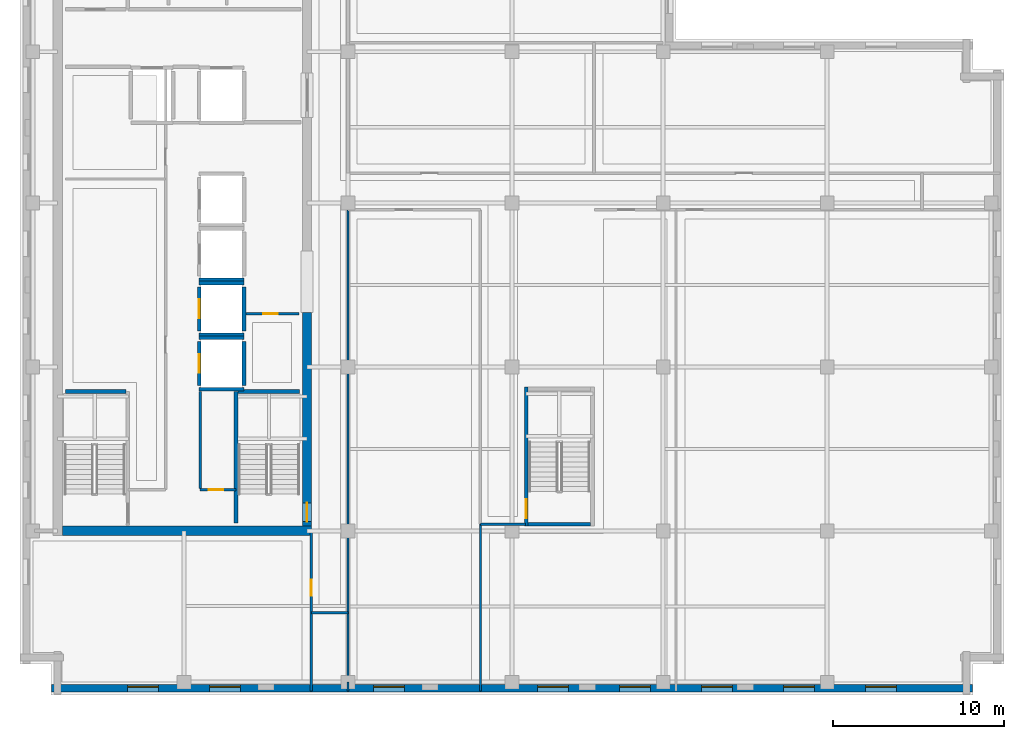
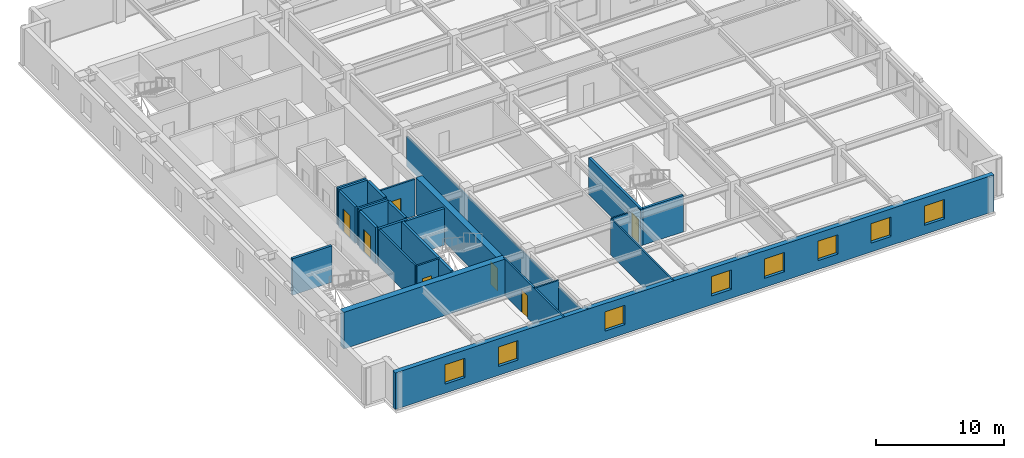
# One storey, part 3 of 11: 26 walls, 8 windows, 7 doors, 15 openings.
"""IFC4 building model written with IfcOpenShell, lengths in metres."""

import ifcopenshell
import ifcopenshell.guid

model = None  # the IFC model being written
_history = None  # IfcOwnerHistory: only IFC2X3 demands one
_inside = {}  # id of a spatial element -> (the spatial element, [elements in it])
_under = {}  # id of a project, library or spatial element -> (it, [spatial elements below it])
_declared = {}  # id of a project -> (the project, [libraries it declares])
_typed = {}  # id of a type object -> (the type object, [elements of that type])
_made_of = {}  # id of a material, layer set ... -> (it, [elements and type objects made of it])


def new_model(schema):
    """Start an empty IFC model of exactly this schema.

    Asked for "IFC4X3", IfcOpenShell would pick the latest addendum, in which some entities
    have other attributes; the version numbers below select the first issue.
    IFC2X3 requires an IfcOwnerHistory on every rooted entity: one is made here for all.
    """
    global model, _history
    if schema == "IFC4X3":
        model = ifcopenshell.file(schema_version=(4, 3, 0, 0))
    else:
        model = ifcopenshell.file(schema=schema)
    _inside.clear()
    _under.clear()
    _declared.clear()
    _typed.clear()
    _made_of.clear()
    _history = None
    if model.schema == "IFC2X3":
        org = make("IfcOrganization", Name="unknown")
        user = make(
            "IfcPersonAndOrganization",
            ThePerson=make("IfcPerson", FamilyName="unknown"),
            TheOrganization=org,
        )
        app = make(
            "IfcApplication",
            ApplicationDeveloper=org,
            Version="unknown",
            ApplicationFullName="unknown",
            ApplicationIdentifier="unknown",
        )
        _history = make(
            "IfcOwnerHistory",
            OwningUser=user,
            OwningApplication=app,
            ChangeAction="ADDED",
            CreationDate=0,
        )
    return model


def make(cls, **values):
    """One entity of the class cls with the attributes given. An attribute that is None is left unset."""
    return model.create_entity(
        cls, **{name: value for name, value in values.items() if value is not None}
    )


def rooted(cls, **values):
    """An entity with a GlobalId (a new one), such as an element, a storey or a relation."""
    return make(cls, GlobalId=ifcopenshell.guid.new(), OwnerHistory=_history, **values)


def si_unit(unit_type, name, prefix=None):
    """IfcSIUnit, for example si_unit("LENGTHUNIT", "METRE", prefix="MILLI")."""
    return make("IfcSIUnit", UnitType=unit_type, Prefix=prefix, Name=name)


def assignment(units):
    """IfcUnitAssignment: the units of a project."""
    return None if units is None else make("IfcUnitAssignment", Units=units)


def point(xyz):
    """IfcCartesianPoint."""
    return None if xyz is None else make("IfcCartesianPoint", Coordinates=xyz)


def direction(xyz):
    """IfcDirection."""
    return None if xyz is None else make("IfcDirection", DirectionRatios=xyz)


def frame(location, z_axis=None, x_axis=None):
    """IfcAxis2Placement3D, a coordinate frame: its origin and axes. An axis left out is left unset."""
    return make(
        "IfcAxis2Placement3D",
        Location=point(location),
        Axis=direction(z_axis),
        RefDirection=direction(x_axis),
    )


def frame_2d(location, x_axis=None):
    """IfcAxis2Placement2D, a coordinate frame in the plane: its origin and x axis."""
    return make(
        "IfcAxis2Placement2D", Location=point(location), RefDirection=direction(x_axis)
    )


def origin():
    """The frame at (0, 0, 0) with its axes left unset."""
    return frame((0.0, 0.0, 0.0))


def place(relative_to, where):
    """IfcLocalPlacement: puts the frame where relative to a parent placement (None: the world)."""
    return make(
        "IfcLocalPlacement", PlacementRelTo=relative_to, RelativePlacement=where
    )


def context(
    kind, dimensions, precision=None, world=None, true_north=None, identifier=None
):
    """IfcGeometricRepresentationContext, for example the 3D "Model" context."""
    return make(
        "IfcGeometricRepresentationContext",
        ContextIdentifier=identifier,
        ContextType=kind,
        CoordinateSpaceDimension=dimensions,
        Precision=precision,
        WorldCoordinateSystem=world,
        TrueNorth=true_north,
    )


def subcontext(parent, identifier, kind, view, scale=None):
    """IfcGeometricRepresentationSubContext, for example "Body" below "Model"."""
    return make(
        "IfcGeometricRepresentationSubContext",
        ContextIdentifier=identifier,
        ContextType=kind,
        ParentContext=parent,
        TargetScale=scale,
        TargetView=view,
    )


def project(units=None, contexts=None):
    """IfcProject with its units and contexts."""
    return rooted(
        "IfcProject",
        Name="project",
        RepresentationContexts=contexts,
        UnitsInContext=assignment(units),
    )


def spatial(cls, under=None, at=None, **own):
    """A site, building, storey or space (cls), placed at a placement, below another one or the project."""
    s = rooted(cls, ObjectPlacement=at, **own)
    if under is not None:
        _under.setdefault(under.id(), (under, []))[1].append(s)
    return s


def profile(cls, at=None, kind="AREA", **sizes):
    """A parametric profile (cls). Its sizes go by their IFC names, for example OverallWidth=200.0."""
    return make(cls, ProfileType=kind, Position=at, **sizes)


def rectangle(**sizes):
    """IfcRectangleProfileDef."""
    return profile("IfcRectangleProfileDef", **sizes)


def extrude(swept, where, along, depth):
    """IfcExtrudedAreaSolid: the profile swept, set in the frame where, extruded along a direction by depth."""
    return make(
        "IfcExtrudedAreaSolid",
        SweptArea=swept,
        Position=where,
        ExtrudedDirection=direction(along),
        Depth=depth,
    )


def shape(context_of_items, identifier, shape_type, items):
    """IfcShapeRepresentation: the items that make up one representation, for example the "Body"."""
    return make(
        "IfcShapeRepresentation",
        ContextOfItems=context_of_items,
        RepresentationIdentifier=identifier,
        RepresentationType=shape_type,
        Items=items,
    )


def material(Name=None, Category=None):
    """IfcMaterial."""
    return make("IfcMaterial", Name=Name, Category=Category)


def layer(
    of_material, thickness, ventilated=None, Name=None, Category=None, Priority=None
):
    """IfcMaterialLayer: one layer of a wall or slab, of a material (None: an air gap)."""
    return make(
        "IfcMaterialLayer",
        Material=of_material,
        LayerThickness=thickness,
        IsVentilated=ventilated,
        Name=Name,
        Category=Category,
        Priority=Priority,
    )


def layer_set(layers, Name=None):
    """IfcMaterialLayerSet."""
    return make("IfcMaterialLayerSet", MaterialLayers=layers, LayerSetName=Name)


def made_of(thing, what):
    """Note that an element or type object is made of a material, layer set ...; save() writes the relation."""
    if what is not None:
        _made_of.setdefault(what.id(), (what, []))[1].append(thing)
    return thing


def type_object(cls, material=None, **own):
    """A type object (cls), such as IfcWallType, which elements share."""
    return made_of(rooted(cls, **own), material)


def element(
    cls,
    number,
    at=None,
    inside=None,
    cuts=None,
    type_object=None,
    material=None,
    context=None,
    identifier="Body",
    shape_type=None,
    held_by="IfcProductDefinitionShape",
    body=None,
    shapes=None,
    **own,
):
    """One element of the class cls, such as IfcWall. Its Tag is "e" and its number.

    at: its placement. inside: the storey or other place that contains it. cuts: it is an
    opening in that element (IfcRelVoidsElement). A single representation is given by context,
    identifier, shape_type and body (its items); several are given by shapes. held_by: the class
    of the entity that holds the representations. save() writes the other relations.
    """
    e = rooted(cls, Tag="e%d" % number, ObjectPlacement=at, **own)
    if body is not None:
        shapes = [shape(context, identifier, shape_type, body)]
    if shapes is not None:
        e.Representation = make(held_by, Representations=shapes)
    if inside is not None:
        _inside.setdefault(inside.id(), (inside, []))[1].append(e)
    if cuts is not None:
        rooted(
            "IfcRelVoidsElement", RelatingBuildingElement=cuts, RelatedOpeningElement=e
        )
    if type_object is not None:
        _typed.setdefault(type_object.id(), (type_object, []))[1].append(e)
    return made_of(e, material)


def fill(opening, filler):
    """IfcRelFillsElement: the door or window that sits in an opening."""
    return rooted(
        "IfcRelFillsElement",
        RelatingOpeningElement=opening,
        RelatedBuildingElement=filler,
    )


def aggregate(whole, parts):
    """IfcRelAggregates: a whole, such as a stair, and the parts it consists of."""
    return rooted("IfcRelAggregates", RelatingObject=whole, RelatedObjects=parts)


def save(model, path):
    """Write the relations noted so far, then the file.

    IfcRelAggregates (storeys below a building ...), IfcRelContainedInSpatialStructure (elements
    in a storey), IfcRelDefinesByType, IfcRelAssociatesMaterial and IfcRelDeclares: one each for
    every whole, place, type object, material and project.
    """
    for whole, parts in _under.values():
        aggregate(whole, parts)
    for where, things in _inside.values():
        rooted(
            "IfcRelContainedInSpatialStructure",
            RelatedElements=things,
            RelatingStructure=where,
        )
    for kind, things in _typed.values():
        rooted("IfcRelDefinesByType", RelatedObjects=things, RelatingType=kind)
    for what, things in _made_of.values():
        rooted("IfcRelAssociatesMaterial", RelatedObjects=things, RelatingMaterial=what)
    for by, libraries in _declared.values():
        rooted("IfcRelDeclares", RelatingContext=by, RelatedDefinitions=libraries)
    model.write(path)


model = new_model("IFC4")

# Units and contexts
model_context = context("Model", 3, precision=1e-05, world=origin(), true_north=direction((0.0, 1.0)))
body_context = subcontext(model_context, "Body", "Model", "MODEL_VIEW")
ifc_project = project(units=[si_unit("LENGTHUNIT", "METRE"), si_unit("AREAUNIT", "SQUARE_METRE"), si_unit("VOLUMEUNIT", "CUBIC_METRE"), si_unit("PLANEANGLEUNIT", "RADIAN"), si_unit("MASSUNIT", "GRAM", prefix="KILO")], contexts=[model_context])

# Site, building, storey
site_placement = place(None, origin())
site = spatial("IfcSite", under=ifc_project, at=site_placement, CompositionType="ELEMENT")
building_placement = place(site_placement, origin())
building = spatial("IfcBuilding", under=site, at=building_placement, Name="Norrvale University Quadrangle", CompositionType="ELEMENT")
storey_placement = place(building_placement, frame((0.0, 0.0, 252.199951171875)))
storey = spatial("IfcBuildingStorey", under=building, at=storey_placement, Name="L64", CompositionType="ELEMENT", Elevation=252.199951171875)

# Wall, openings, windows
ifc_material_1 = material(Name="Buff Norman Clay Brick Masonry", Category="masonry")
ifc_layer_1 = layer(ifc_material_1, 0.419921875, Name="Buff Norman Clay Brick Masonry")
ifc_layer_set_1 = layer_set([ifc_layer_1], Name="Buff Norman Clay Brick Masonry")
wall_type_1 = type_object("IfcWallType", Name="Wall Buff Brick 420", PredefinedType="SOLIDWALL", material=ifc_layer_set_1)
wall_1_placement = place(storey_placement, frame((1.840087890625, 0.389892578125, 0.0), z_axis=(0.0, 0.0, 1.0), x_axis=(1.0, 0.0, 0.0)))
wall_1 = element("IfcWall", 1, at=wall_1_placement, inside=storey, type_object=wall_type_1, Name="Exterior Brick Facade Wall L64-01.1", PredefinedType="SOLIDWALL", context=body_context, shape_type="SweptSolid", body=[
    extrude(rectangle(XDim=53.919921875, YDim=0.419921875, at=frame_2d((26.9599609375, 0.0))), origin(), (0.0, 0.0, 1.0), 3.47998046875),
])
opening_1_placement = place(wall_1_placement, frame((4.4599609375, 0.0, 0.85009765625)))
opening_1 = element("IfcOpeningElement", 2, at=opening_1_placement, cuts=wall_1, Name="Opening W01", PredefinedType="OPENING", context=body_context, shape_type="SweptSolid", body=[
    extrude(rectangle(XDim=1.800048828125, YDim=1.85009765625, at=frame_2d((0.89990234375, 0.925048828125))), frame((0.0, 0.221923828125, 0.0), z_axis=(0.0, -1.0, 0.0), x_axis=(1.0, 0.0, 0.0)), (0.0, 0.0, 1.0), 0.44384765625),
])
opening_2_placement = place(wall_1_placement, frame((9.260009765625, 0.0, 0.85009765625)))
opening_2 = element("IfcOpeningElement", 3, at=opening_2_placement, cuts=wall_1, Name="Opening W01", PredefinedType="OPENING", context=body_context, shape_type="SweptSolid", body=[
    extrude(rectangle(XDim=1.800048828125, YDim=1.85009765625, at=frame_2d((0.89990234375, 0.925048828125))), frame((0.0, 0.221923828125, 0.0), z_axis=(0.0, -1.0, 0.0), x_axis=(1.0, 0.0, 0.0)), (0.0, 0.0, 1.0), 0.44384765625),
])
opening_3_placement = place(wall_1_placement, frame((18.860107421875, 0.0, 0.85009765625)))
opening_3 = element("IfcOpeningElement", 4, at=opening_3_placement, cuts=wall_1, Name="Opening W01", PredefinedType="OPENING", context=body_context, shape_type="SweptSolid", body=[
    extrude(rectangle(XDim=1.800048828125, YDim=1.85009765625, at=frame_2d((0.89990234375, 0.925048828125))), frame((0.0, 0.221923828125, 0.0), z_axis=(0.0, -1.0, 0.0), x_axis=(1.0, 0.0, 0.0)), (0.0, 0.0, 1.0), 0.44384765625),
])
opening_4_placement = place(wall_1_placement, frame((28.4599609375, 0.0, 0.85009765625)))
opening_4 = element("IfcOpeningElement", 5, at=opening_4_placement, cuts=wall_1, Name="Opening W01", PredefinedType="OPENING", context=body_context, shape_type="SweptSolid", body=[
    extrude(rectangle(XDim=1.800048828125, YDim=1.85009765625, at=frame_2d((0.89990234375, 0.925048828125))), frame((0.0, 0.221923828125, 0.0), z_axis=(0.0, -1.0, 0.0), x_axis=(1.0, 0.0, 0.0)), (0.0, 0.0, 1.0), 0.44384765625),
])
opening_5_placement = place(wall_1_placement, frame((33.260009765625, 0.0, 0.85009765625)))
opening_5 = element("IfcOpeningElement", 6, at=opening_5_placement, cuts=wall_1, Name="Opening W01", PredefinedType="OPENING", context=body_context, shape_type="SweptSolid", body=[
    extrude(rectangle(XDim=1.800048828125, YDim=1.85009765625, at=frame_2d((0.89990234375, 0.925048828125))), frame((0.0, 0.221923828125, 0.0), z_axis=(0.0, -1.0, 0.0), x_axis=(1.0, 0.0, 0.0)), (0.0, 0.0, 1.0), 0.44384765625),
])
opening_6_placement = place(wall_1_placement, frame((38.06005859375, 0.0, 0.85009765625)))
opening_6 = element("IfcOpeningElement", 7, at=opening_6_placement, cuts=wall_1, Name="Opening W01", PredefinedType="OPENING", context=body_context, shape_type="SweptSolid", body=[
    extrude(rectangle(XDim=1.800048828125, YDim=1.85009765625, at=frame_2d((0.89990234375, 0.925048828125))), frame((0.0, 0.221923828125, 0.0), z_axis=(0.0, -1.0, 0.0), x_axis=(1.0, 0.0, 0.0)), (0.0, 0.0, 1.0), 0.44384765625),
])
opening_7_placement = place(wall_1_placement, frame((42.860107421875, 0.0, 0.85009765625)))
opening_7 = element("IfcOpeningElement", 8, at=opening_7_placement, cuts=wall_1, Name="Opening W01", PredefinedType="OPENING", context=body_context, shape_type="SweptSolid", body=[
    extrude(rectangle(XDim=1.800048828125, YDim=1.85009765625, at=frame_2d((0.89990234375, 0.925048828125))), frame((0.0, 0.221923828125, 0.0), z_axis=(0.0, -1.0, 0.0), x_axis=(1.0, 0.0, 0.0)), (0.0, 0.0, 1.0), 0.44384765625),
])
opening_8_placement = place(wall_1_placement, frame((47.659912109375, 0.0, 0.85009765625)))
opening_8 = element("IfcOpeningElement", 9, at=opening_8_placement, cuts=wall_1, Name="Opening W01", PredefinedType="OPENING", context=body_context, shape_type="SweptSolid", body=[
    extrude(rectangle(XDim=1.800048828125, YDim=1.85009765625, at=frame_2d((0.89990234375, 0.925048828125))), frame((0.0, 0.221923828125, 0.0), z_axis=(0.0, -1.0, 0.0), x_axis=(1.0, 0.0, 0.0)), (0.0, 0.0, 1.0), 0.44384765625),
])
ifc_material_2 = material(Name="Triple Low-E Argon Glazing", Category="glass")
window_type = type_object("IfcWindowType", Name="Window Academic 1800x2300", PartitioningType="DOUBLE_PANEL_VERTICAL", PredefinedType="WINDOW", material=ifc_material_2)
window_1_placement = place(opening_1_placement, origin())
window_1 = element("IfcWindow", 10, at=window_1_placement, inside=storey, type_object=window_type, Name="Window Academic 1800x2300 WIN-L64-E01-1-01", OverallHeight=1.85009765625, OverallWidth=1.800048828125, PartitioningType="DOUBLE_PANEL_VERTICAL", PredefinedType="WINDOW", context=body_context, shape_type="SweptSolid", body=[
    extrude(rectangle(XDim=1.800048828125, YDim=1.85009765625, at=frame_2d((0.89990234375, 0.925048828125))), frame((0.0, 0.110107421875, 0.0), z_axis=(0.0, -1.0, 0.0), x_axis=(1.0, 0.0, 0.0)), (0.0, 0.0, 1.0), 0.06005859375),
])
fill(opening_1, window_1)
window_2_placement = place(opening_2_placement, origin())
window_2 = element("IfcWindow", 11, at=window_2_placement, inside=storey, type_object=window_type, Name="Window Academic 1800x2300 WIN-L64-E01-1-02", OverallHeight=1.85009765625, OverallWidth=1.800048828125, PartitioningType="DOUBLE_PANEL_VERTICAL", PredefinedType="WINDOW", context=body_context, shape_type="SweptSolid", body=[
    extrude(rectangle(XDim=1.800048828125, YDim=1.85009765625, at=frame_2d((0.89990234375, 0.925048828125))), frame((0.0, 0.110107421875, 0.0), z_axis=(0.0, -1.0, 0.0), x_axis=(1.0, 0.0, 0.0)), (0.0, 0.0, 1.0), 0.06005859375),
])
fill(opening_2, window_2)
window_3_placement = place(opening_3_placement, origin())
window_3 = element("IfcWindow", 12, at=window_3_placement, inside=storey, type_object=window_type, Name="Window Academic 1800x2300 WIN-L64-E01-1-03", OverallHeight=1.85009765625, OverallWidth=1.800048828125, PartitioningType="DOUBLE_PANEL_VERTICAL", PredefinedType="WINDOW", context=body_context, shape_type="SweptSolid", body=[
    extrude(rectangle(XDim=1.800048828125, YDim=1.85009765625, at=frame_2d((0.89990234375, 0.925048828125))), frame((0.0, 0.110107421875, 0.0), z_axis=(0.0, -1.0, 0.0), x_axis=(1.0, 0.0, 0.0)), (0.0, 0.0, 1.0), 0.06005859375),
])
fill(opening_3, window_3)
window_4_placement = place(opening_4_placement, origin())
window_4 = element("IfcWindow", 13, at=window_4_placement, inside=storey, type_object=window_type, Name="Window Academic 1800x2300 WIN-L64-E01-1-04", OverallHeight=1.85009765625, OverallWidth=1.800048828125, PartitioningType="DOUBLE_PANEL_VERTICAL", PredefinedType="WINDOW", context=body_context, shape_type="SweptSolid", body=[
    extrude(rectangle(XDim=1.800048828125, YDim=1.85009765625, at=frame_2d((0.89990234375, 0.925048828125))), frame((0.0, 0.110107421875, 0.0), z_axis=(0.0, -1.0, 0.0), x_axis=(1.0, 0.0, 0.0)), (0.0, 0.0, 1.0), 0.06005859375),
])
fill(opening_4, window_4)
window_5_placement = place(opening_5_placement, origin())
window_5 = element("IfcWindow", 14, at=window_5_placement, inside=storey, type_object=window_type, Name="Window Academic 1800x2300 WIN-L64-E01-1-05", OverallHeight=1.85009765625, OverallWidth=1.800048828125, PartitioningType="DOUBLE_PANEL_VERTICAL", PredefinedType="WINDOW", context=body_context, shape_type="SweptSolid", body=[
    extrude(rectangle(XDim=1.800048828125, YDim=1.85009765625, at=frame_2d((0.89990234375, 0.925048828125))), frame((0.0, 0.110107421875, 0.0), z_axis=(0.0, -1.0, 0.0), x_axis=(1.0, 0.0, 0.0)), (0.0, 0.0, 1.0), 0.06005859375),
])
fill(opening_5, window_5)
window_6_placement = place(opening_6_placement, origin())
window_6 = element("IfcWindow", 15, at=window_6_placement, inside=storey, type_object=window_type, Name="Window Academic 1800x2300 WIN-L64-E01-1-06", OverallHeight=1.85009765625, OverallWidth=1.800048828125, PartitioningType="DOUBLE_PANEL_VERTICAL", PredefinedType="WINDOW", context=body_context, shape_type="SweptSolid", body=[
    extrude(rectangle(XDim=1.800048828125, YDim=1.85009765625, at=frame_2d((0.89990234375, 0.925048828125))), frame((0.0, 0.110107421875, 0.0), z_axis=(0.0, -1.0, 0.0), x_axis=(1.0, 0.0, 0.0)), (0.0, 0.0, 1.0), 0.06005859375),
])
fill(opening_6, window_6)
window_7_placement = place(opening_7_placement, origin())
window_7 = element("IfcWindow", 16, at=window_7_placement, inside=storey, type_object=window_type, Name="Window Academic 1800x2300 WIN-L64-E01-1-07", OverallHeight=1.85009765625, OverallWidth=1.800048828125, PartitioningType="DOUBLE_PANEL_VERTICAL", PredefinedType="WINDOW", context=body_context, shape_type="SweptSolid", body=[
    extrude(rectangle(XDim=1.800048828125, YDim=1.85009765625, at=frame_2d((0.89990234375, 0.925048828125))), frame((0.0, 0.110107421875, 0.0), z_axis=(0.0, -1.0, 0.0), x_axis=(1.0, 0.0, 0.0)), (0.0, 0.0, 1.0), 0.06005859375),
])
fill(opening_7, window_7)
window_8_placement = place(opening_8_placement, origin())
window_8 = element("IfcWindow", 17, at=window_8_placement, inside=storey, type_object=window_type, Name="Window Academic 1800x2300 WIN-L64-E01-1-08", OverallHeight=1.85009765625, OverallWidth=1.800048828125, PartitioningType="DOUBLE_PANEL_VERTICAL", PredefinedType="WINDOW", context=body_context, shape_type="SweptSolid", body=[
    extrude(rectangle(XDim=1.800048828125, YDim=1.85009765625, at=frame_2d((0.89990234375, 0.925048828125))), frame((0.0, 0.110107421875, 0.0), z_axis=(0.0, -1.0, 0.0), x_axis=(1.0, 0.0, 0.0)), (0.0, 0.0, 1.0), 0.06005859375),
])
fill(opening_8, window_8)

# Wall
ifc_material_3 = material(Name="Concrete C60/75", Category="concrete")
ifc_layer_2 = layer(ifc_material_3, 0.550048828125, Name="Concrete C60/75")
ifc_layer_set_2 = layer_set([ifc_layer_2], Name="Concrete C60/75")
wall_type_2 = type_object("IfcWallType", Name="Wall Core 550", PredefinedType="SHEAR", material=ifc_layer_set_2)
wall_2_placement = place(storey_placement, frame((2.47509765625, 9.60009765625, 0.0), z_axis=(0.0, 0.0, 1.0), x_axis=(1.0, 0.0, 0.0)))
element("IfcWall", 18, at=wall_2_placement, inside=storey, type_object=wall_type_2, Name="Tower Core Shear Wall L64-S", PredefinedType="SHEAR", context=body_context, shape_type="SweptSolid", body=[
    extrude(rectangle(XDim=14.599853515625, YDim=0.550048828125, at=frame_2d((7.2998046875, 0.0))), origin(), (0.0, 0.0, 1.0), 3.47998046875),
])

# Wall, opening, door
wall_3_placement = place(storey_placement, frame((16.800048828125, 9.875, 0.0), z_axis=(0.0, 0.0, 1.0), x_axis=(0.0, 1.0, 0.0)))
wall_3 = element("IfcWall", 19, at=wall_3_placement, inside=storey, type_object=wall_type_2, Name="Tower Core Shear Wall L64-E1", PredefinedType="SHEAR", context=body_context, shape_type="SweptSolid", body=[
    extrude(rectangle(XDim=12.52490234375, YDim=0.550048828125, at=frame_2d((6.262451171875, 0.0))), origin(), (0.0, 0.0, 1.0), 3.47998046875),
])
opening_9_placement = place(wall_3_placement, frame((0.264892578125, 0.0, 0.0)))
opening_9 = element("IfcOpeningElement", 20, at=opening_9_placement, cuts=wall_3, Name="Opening D02", PredefinedType="OPENING", context=body_context, shape_type="SweptSolid", body=[
    extrude(rectangle(XDim=1.10009765625, YDim=2.199951171875, at=frame_2d((0.550048828125, 1.10009765625))), frame((0.0, 0.287109375, 0.0), z_axis=(0.0, -1.0, 0.0), x_axis=(1.0, 0.0, 0.0)), (0.0, 0.0, 1.0), 0.573974609375),
])
ifc_material_4 = material(Name="Hollow Steel 350W Fire Door", Category="steel")
door_type_1 = type_object("IfcDoorType", Name="Door Stair Exit 1100x2200", OperationType="NOTDEFINED", PredefinedType="DOOR", material=ifc_material_4)
door_1_placement = place(opening_9_placement, origin())
door_1 = element("IfcDoor", 21, at=door_1_placement, inside=storey, type_object=door_type_1, Name="Door Stair Exit 1100x2200 DR-L64-ST03", OperationType="SINGLE_SWING_LEFT", OverallHeight=2.199951171875, OverallWidth=1.10009765625, PredefinedType="DOOR", context=body_context, shape_type="SweptSolid", body=[
    extrude(rectangle(XDim=1.10009765625, YDim=2.199951171875, at=frame_2d((0.550048828125, 1.10009765625))), frame((0.0, 0.02490234375, 0.0), z_axis=(0.0, -1.0, 0.0), x_axis=(1.0, 0.0, 0.0)), (0.0, 0.0, 1.0), 0.050048828125),
])
fill(opening_9, door_1)

# Walls
ifc_material_5 = material(Name="Standard Academic Gypsum Partition")
ifc_layer_3 = layer(ifc_material_5, 0.125, Name="Standard Academic Gypsum Partition")
ifc_layer_set_3 = layer_set([ifc_layer_3], Name="Standard Academic Gypsum Partition")
wall_type_3 = type_object("IfcWallType", Name="Wall Gypsum Academic 125", PredefinedType="PARTITIONING", material=ifc_layer_set_3)
wall_4_placement = place(storey_placement, frame((19.199951171875, 0.219970703125, 0.0), z_axis=(0.0, 0.0, 1.0), x_axis=(0.0, 1.0, 0.0)))
element("IfcWall", 22, at=wall_4_placement, inside=storey, type_object=wall_type_3, Name="Interior Partition WL-L64-SE-W0", PredefinedType="PARTITIONING", context=body_context, shape_type="SweptSolid", body=[
    extrude(rectangle(XDim=0.530029296875, YDim=0.125, at=frame_2d((0.26513671875, 0.0))), origin(), (0.0, 0.0, 1.0), 3.47998046875),
])
wall_5_placement = place(storey_placement, frame((19.199951171875, 0.75, 0.0), z_axis=(0.0, 0.0, 1.0), x_axis=(0.0, 1.0, 0.0)))
element("IfcWall", 23, at=wall_5_placement, inside=storey, type_object=wall_type_3, Name="Interior Partition WL-L64-SE-W0-B2", PredefinedType="PARTITIONING", context=body_context, shape_type="SweptSolid", body=[
    extrude(rectangle(XDim=27.64990234375, YDim=0.125, at=frame_2d((13.824951171875, 0.0))), origin(), (0.0, 0.0, 1.0), 2.863037109375),
])
wall_6_placement = place(storey_placement, frame((26.949951171875, 0.219970703125, 0.0), z_axis=(0.0, 0.0, 1.0), x_axis=(0.0, 1.0, 0.0)))
element("IfcWall", 24, at=wall_6_placement, inside=storey, type_object=wall_type_3, Name="Interior Partition WL-L64-SEP1A", PredefinedType="PARTITIONING", context=body_context, shape_type="SweptSolid", body=[
    extrude(rectangle(XDim=9.780029296875, YDim=0.125, at=frame_2d((4.89013671875, 0.0))), origin(), (0.0, 0.0, 1.0), 3.47998046875),
])

# Wall, opening, door
ifc_material_6 = material(Name="Fire-Rated Gypsum Stud Partition")
ifc_layer_4 = layer(ifc_material_6, 0.14990234375, Name="Fire-Rated Gypsum Stud Partition")
ifc_layer_set_4 = layer_set([ifc_layer_4], Name="Fire-Rated Gypsum Stud Partition")
wall_type_4 = type_object("IfcWallType", Name="Wall Gypsum Corridor 150", PredefinedType="PARTITIONING", material=ifc_layer_set_4)
wall_7_placement = place(storey_placement, frame((10.550048828125, 12.02001953125, 0.0), z_axis=(0.0, 0.0, 1.0), x_axis=(1.0, 0.0, 0.0)))
wall_7 = element("IfcWall", 25, at=wall_7_placement, inside=storey, type_object=wall_type_4, Name="Interior Partition WL-L64-SC-NR", PredefinedType="PARTITIONING", context=body_context, shape_type="SweptSolid", body=[
    extrude(rectangle(XDim=2.079833984375, YDim=0.14990234375, at=frame_2d((1.0400390625, 0.0))), origin(), (0.0, 0.0, 1.0), 3.47998046875),
])
opening_10_placement = place(wall_7_placement, frame((0.5, 0.0, 0.0)))
opening_10 = element("IfcOpeningElement", 26, at=opening_10_placement, cuts=wall_7, Name="Opening D10", PredefinedType="OPENING", context=body_context, shape_type="SweptSolid", body=[
    extrude(rectangle(XDim=0.85009765625, YDim=2.10009765625, at=frame_2d((0.425048828125, 1.050048828125))), frame((0.0, 0.0869140625, 0.0), z_axis=(0.0, -1.0, 0.0), x_axis=(1.0, 0.0, 0.0)), (0.0, 0.0, 1.0), 0.173828125),
])
ifc_material_7 = material(Name="Hollow Steel 350W Riser Fire Door", Category="steel")
door_type_2 = type_object("IfcDoorType", Name="Door Riser 850x2100", OperationType="NOTDEFINED", PredefinedType="DOOR", material=ifc_material_7)
door_2_placement = place(opening_10_placement, origin())
door_2 = element("IfcDoor", 27, at=door_2_placement, inside=storey, type_object=door_type_2, Name="Door Riser 850x2100 DR-L64-IDF", OperationType="SINGLE_SWING_RIGHT", OverallHeight=2.10009765625, OverallWidth=0.85009765625, PredefinedType="DOOR", context=body_context, shape_type="SweptSolid", body=[
    extrude(rectangle(XDim=0.85009765625, YDim=2.10009765625, at=frame_2d((0.425048828125, 1.050048828125))), frame((0.0, 0.02490234375, 0.0), z_axis=(0.0, -1.0, 0.0), x_axis=(1.0, 0.0, 0.0)), (0.0, 0.0, 1.0), 0.050048828125),
])
fill(opening_10, door_2)

# Wall
wall_8_placement = place(storey_placement, frame((10.550048828125, 12.094970703125, 0.0), z_axis=(0.0, 0.0, 1.0), x_axis=(0.0, 1.0, 0.0)))
element("IfcWall", 28, at=wall_8_placement, inside=storey, type_object=wall_type_4, Name="Interior Partition WL-L64-SC-WR", PredefinedType="PARTITIONING", context=body_context, shape_type="SweptSolid", body=[
    extrude(rectangle(XDim=5.679931640625, YDim=0.14990234375, at=frame_2d((2.83984375, 0.0))), origin(), (0.0, 0.0, 1.0), 3.47998046875),
])

# Wall, opening, door
wall_9_placement = place(storey_placement, frame((13.22509765625, 22.320068359375, 0.0), z_axis=(0.0, 0.0, 1.0), x_axis=(1.0, 0.0, 0.0)))
wall_9 = element("IfcWall", 29, at=wall_9_placement, inside=storey, type_object=wall_type_4, Name="Interior Partition WL-L64-JAN-N", PredefinedType="PARTITIONING", context=body_context, shape_type="SweptSolid", body=[
    extrude(rectangle(XDim=3.119873046875, YDim=0.14990234375, at=frame_2d((1.56005859375, 0.0))), origin(), (0.0, 0.0, 1.0), 3.47998046875),
])
opening_11_placement = place(wall_9_placement, frame((1.0, 0.0, 0.0)))
opening_11 = element("IfcOpeningElement", 30, at=opening_11_placement, cuts=wall_9, Name="Opening D10", PredefinedType="OPENING", context=body_context, shape_type="SweptSolid", body=[
    extrude(rectangle(XDim=0.85009765625, YDim=2.10009765625, at=frame_2d((0.425048828125, 1.050048828125))), frame((0.0, 0.0869140625, 0.0), z_axis=(0.0, -1.0, 0.0), x_axis=(1.0, 0.0, 0.0)), (0.0, 0.0, 1.0), 0.173828125),
])
door_3_placement = place(opening_11_placement, origin())
door_3 = element("IfcDoor", 31, at=door_3_placement, inside=storey, type_object=door_type_2, Name="Door Riser 850x2100 DR-L64-JAN", OperationType="SINGLE_SWING_LEFT", OverallHeight=2.10009765625, OverallWidth=0.85009765625, PredefinedType="DOOR", context=body_context, shape_type="SweptSolid", body=[
    extrude(rectangle(XDim=0.85009765625, YDim=2.10009765625, at=frame_2d((0.425048828125, 1.050048828125))), frame((0.0, 0.02490234375, 0.0), z_axis=(0.0, -1.0, 0.0), x_axis=(1.0, 0.0, 0.0)), (0.0, 0.0, 1.0), 0.050048828125),
])
fill(opening_11, door_3)

# Wall
wall_10_placement = place(storey_placement, frame((17.050048828125, 4.800048828125, 0.0), z_axis=(0.0, 0.0, 1.0), x_axis=(1.0, 0.0, 0.0)))
element("IfcWall", 32, at=wall_10_placement, inside=storey, type_object=wall_type_4, Name="Interior Partition WL-L64-CSP-S", PredefinedType="PARTITIONING", context=body_context, shape_type="SweptSolid", body=[
    extrude(rectangle(XDim=2.14990234375, YDim=0.14990234375, at=frame_2d((1.074951171875, 0.0))), origin(), (0.0, 0.0, 1.0), 3.47998046875),
])

# Wall, opening, door
wall_11_placement = place(storey_placement, frame((17.050048828125, 0.219970703125, 0.0), z_axis=(0.0, 0.0, 1.0), x_axis=(0.0, 1.0, 0.0)))
wall_11 = element("IfcWall", 33, at=wall_11_placement, inside=storey, type_object=wall_type_4, Name="Interior Partition WL-L64-SW-E", PredefinedType="PARTITIONING", context=body_context, shape_type="SweptSolid", body=[
    extrude(rectangle(XDim=9.380126953125, YDim=0.14990234375, at=frame_2d((4.68994140625, 0.0))), origin(), (0.0, 0.0, 1.0), 3.47998046875),
])
opening_12_placement = place(wall_11_placement, frame((5.580078125, 0.0, 0.0)))
opening_12 = element("IfcOpeningElement", 34, at=opening_12_placement, cuts=wall_11, Name="Opening D07", PredefinedType="OPENING", context=body_context, shape_type="SweptSolid", body=[
    extrude(rectangle(XDim=0.949951171875, YDim=2.14990234375, at=frame_2d((0.47509765625, 1.074951171875))), frame((0.0, 0.0869140625, 0.0), z_axis=(0.0, -1.0, 0.0), x_axis=(1.0, 0.0, 0.0)), (0.0, 0.0, 1.0), 0.173828125),
])
ifc_material_8 = material(Name="Solid-Core Maple Door", Category="wood")
door_type_3 = type_object("IfcDoorType", Name="Door Office 950x2150", OperationType="NOTDEFINED", PredefinedType="DOOR", material=ifc_material_8)
door_4_placement = place(opening_12_placement, origin())
door_4 = element("IfcDoor", 35, at=door_4_placement, inside=storey, type_object=door_type_3, Name="Door Office 950x2150 DR-L64-SW1", OperationType="SINGLE_SWING_LEFT", OverallHeight=2.14990234375, OverallWidth=0.949951171875, PredefinedType="DOOR", context=body_context, shape_type="SweptSolid", body=[
    extrude(rectangle(XDim=0.949951171875, YDim=2.14990234375, at=frame_2d((0.47509765625, 1.074951171875))), frame((0.0, 0.02490234375, 0.0), z_axis=(0.0, -1.0, 0.0), x_axis=(1.0, 0.0, 0.0)), (0.0, 0.0, 1.0), 0.050048828125),
])
fill(opening_12, door_4)

# Walls
wall_12_placement = place(storey_placement, frame((26.949951171875, 10.0, 0.0), z_axis=(0.0, 0.0, 1.0), x_axis=(1.0, 0.0, 0.0)))
element("IfcWall", 36, at=wall_12_placement, inside=storey, type_object=wall_type_4, Name="Interior Partition WL-L64-SEP1C", PredefinedType="PARTITIONING", context=body_context, shape_type="SweptSolid", body=[
    extrude(rectangle(XDim=2.630126953125, YDim=0.14990234375, at=frame_2d((1.31494140625, 0.0))), origin(), (0.0, 0.0, 1.0), 3.47998046875),
])
ifc_material_9 = material(Name="Concrete Blockwork 20 MPa Fire Shaft", Category="masonry")
ifc_layer_5 = layer(ifc_material_9, 0.219970703125, Name="Concrete Blockwork 20 MPa Fire Shaft")
ifc_layer_set_5 = layer_set([ifc_layer_5], Name="Concrete Blockwork 20 MPa Fire Shaft")
wall_type_5 = type_object("IfcWallType", Name="Wall Shaft 220", PredefinedType="SOLIDWALL", material=ifc_layer_set_5)
wall_13_placement = place(storey_placement, frame((2.64990234375, 17.760009765625, 0.0), z_axis=(0.0, 0.0, 1.0), x_axis=(1.0, 0.0, 0.0)))
element("IfcWall", 37, at=wall_13_placement, inside=storey, type_object=wall_type_5, Name="Stair ST-01 North Shaft Wall L64", PredefinedType="SOLIDWALL", context=body_context, shape_type="SweptSolid", body=[
    extrude(rectangle(XDim=3.550048828125, YDim=0.219970703125, at=frame_2d((1.77490234375, 0.0))), origin(), (0.0, 0.0, 1.0), 3.47998046875),
])
wall_14_placement = place(storey_placement, frame((12.639892578125, 10.050048828125, 0.0), z_axis=(0.0, 0.0, 1.0), x_axis=(0.0, 1.0, 0.0)))
element("IfcWall", 38, at=wall_14_placement, inside=storey, type_object=wall_type_5, Name="Stair ST-03 West Shaft Wall L64", PredefinedType="SOLIDWALL", context=body_context, shape_type="SweptSolid", body=[
    extrude(rectangle(XDim=7.7099609375, YDim=0.219970703125, at=frame_2d((3.85498046875, 0.0))), origin(), (0.0, 0.0, 1.0), 3.47998046875),
])
wall_15_placement = place(storey_placement, frame((12.75, 17.760009765625, 0.0), z_axis=(0.0, 0.0, 1.0), x_axis=(1.0, 0.0, 0.0)))
element("IfcWall", 39, at=wall_15_placement, inside=storey, type_object=wall_type_5, Name="Stair ST-03 North Shaft Wall L64", PredefinedType="SOLIDWALL", context=body_context, shape_type="SweptSolid", body=[
    extrude(rectangle(XDim=3.60009765625, YDim=0.219970703125, at=frame_2d((1.800048828125, 0.0))), origin(), (0.0, 0.0, 1.0), 3.47998046875),
])
wall_16_placement = place(storey_placement, frame((29.75, 9.989990234375, 0.0), z_axis=(0.0, 0.0, 1.0), x_axis=(1.0, 0.0, 0.0)))
element("IfcWall", 40, at=wall_16_placement, inside=storey, type_object=wall_type_5, Name="Stair ST-04 South Shaft Wall L64", PredefinedType="SOLIDWALL", context=body_context, shape_type="SweptSolid", body=[
    extrude(rectangle(XDim=3.64990234375, YDim=0.219970703125, at=frame_2d((1.824951171875, 0.0))), origin(), (0.0, 0.0, 1.0), 3.47998046875),
])

# Wall, opening, door
wall_17_placement = place(storey_placement, frame((29.639892578125, 9.8798828125, 0.0), z_axis=(0.0, 0.0, 1.0), x_axis=(0.0, 1.0, 0.0)))
wall_17 = element("IfcWall", 41, at=wall_17_placement, inside=storey, type_object=wall_type_5, Name="Stair ST-04 West Shaft Wall L64", PredefinedType="SOLIDWALL", context=body_context, shape_type="SweptSolid", body=[
    extrude(rectangle(XDim=8.14013671875, YDim=0.219970703125, at=frame_2d((4.070068359375, 0.0))), origin(), (0.0, 0.0, 1.0), 3.47998046875),
])
opening_13_placement = place(wall_17_placement, frame((0.469970703125, 0.0, 0.0)))
opening_13 = element("IfcOpeningElement", 42, at=opening_13_placement, cuts=wall_17, Name="Opening D02", PredefinedType="OPENING", context=body_context, shape_type="SweptSolid", body=[
    extrude(rectangle(XDim=1.10009765625, YDim=2.199951171875, at=frame_2d((0.550048828125, 1.10009765625))), frame((0.0, 0.1220703125, 0.0), z_axis=(0.0, -1.0, 0.0), x_axis=(1.0, 0.0, 0.0)), (0.0, 0.0, 1.0), 0.243896484375),
])
door_5_placement = place(opening_13_placement, frame((1.10009765625, 0.0, 0.0), z_axis=(0.0, 0.0, 1.0), x_axis=(-1.0, 0.0, 0.0)))
door_5 = element("IfcDoor", 43, at=door_5_placement, inside=storey, type_object=door_type_1, Name="Door Stair Exit 1100x2200 DR-L64-ST04", OperationType="SINGLE_SWING_RIGHT", OverallHeight=2.199951171875, OverallWidth=1.10009765625, PredefinedType="DOOR", context=body_context, shape_type="SweptSolid", body=[
    extrude(rectangle(XDim=1.10009765625, YDim=2.199951171875, at=frame_2d((0.550048828125, 1.10009765625))), frame((0.0, 0.02490234375, 0.0), z_axis=(0.0, -1.0, 0.0), x_axis=(1.0, 0.0, 0.0)), (0.0, 0.0, 1.0), 0.050048828125),
])
fill(opening_13, door_5)

wall_18_placement = place(storey_placement, frame((10.489990234375, 18.110107421875, 0.0), z_axis=(0.0, 0.0, 1.0), x_axis=(0.0, 1.0, 0.0)))
wall_18 = element("IfcWall", 44, at=wall_18_placement, inside=storey, type_object=wall_type_5, Name="Hoistway PL-05 West Wall L64", PredefinedType="SOLIDWALL", context=body_context, shape_type="SweptSolid", body=[
    extrude(rectangle(XDim=2.579833984375, YDim=0.219970703125, at=frame_2d((1.2900390625, 0.0))), origin(), (0.0, 0.0, 1.0), 3.47998046875),
])
opening_14_placement = place(wall_18_placement, frame((0.739990234375, 0.0, 0.0)))
opening_14 = element("IfcOpeningElement", 45, at=opening_14_placement, cuts=wall_18, Name="Opening LD1", PredefinedType="OPENING", context=body_context, shape_type="SweptSolid", body=[
    extrude(rectangle(XDim=1.10009765625, YDim=2.199951171875, at=frame_2d((0.550048828125, 1.10009765625))), frame((0.0, 0.1220703125, 0.0), z_axis=(0.0, -1.0, 0.0), x_axis=(1.0, 0.0, 0.0)), (0.0, 0.0, 1.0), 0.243896484375),
])
ifc_material_10 = material(Name="Stainless Steel 316L Lift Landing Door", Category="steel")
door_type_4 = type_object("IfcDoorType", Name="Door Lift Landing 1100x2200", OperationType="DOUBLE_DOOR_SLIDING", PredefinedType="DOOR", material=ifc_material_10)
door_6_placement = place(opening_14_placement, origin())
door_6 = element("IfcDoor", 46, at=door_6_placement, inside=storey, type_object=door_type_4, Name="Elevator Landing Door DR-L64-PL-05", OperationType="DOUBLE_DOOR_SLIDING", OverallHeight=2.199951171875, OverallWidth=1.10009765625, PredefinedType="DOOR", context=body_context, shape_type="SweptSolid", body=[
    extrude(rectangle(XDim=1.10009765625, YDim=2.199951171875, at=frame_2d((0.550048828125, 1.10009765625))), frame((0.0, 0.02490234375, 0.0), z_axis=(0.0, -1.0, 0.0), x_axis=(1.0, 0.0, 0.0)), (0.0, 0.0, 1.0), 0.050048828125),
])
fill(opening_14, door_6)

# Walls
wall_19_placement = place(storey_placement, frame((13.110107421875, 18.110107421875, 0.0), z_axis=(0.0, 0.0, 1.0), x_axis=(0.0, 1.0, 0.0)))
element("IfcWall", 47, at=wall_19_placement, inside=storey, type_object=wall_type_5, Name="Hoistway PL-05 East Wall L64", PredefinedType="SOLIDWALL", context=body_context, shape_type="SweptSolid", body=[
    extrude(rectangle(XDim=2.579833984375, YDim=0.219970703125, at=frame_2d((1.2900390625, 0.0))), origin(), (0.0, 0.0, 1.0), 3.47998046875),
])
for number, where, z_axis, x_axis, name in (
    (48, (10.489990234375, 17.889892578125, 0.0), (0.0, 0.0, 1.0), (1.0, 0.0, 0.0), "Hoistway PL-05 South Wall L64"),
    (49, (10.489990234375, 20.909912109375, 0.0), (0.0, 0.0, 1.0), (1.0, 0.0, 0.0), "Hoistway PL-05 North Wall L64"),
):
    element("IfcWall", number, at=place(storey_placement, frame(where, z_axis=z_axis, x_axis=x_axis)), inside=storey, type_object=wall_type_5, Name=name, PredefinedType="SOLIDWALL", context=body_context, shape_type="SweptSolid", body=[
        extrude(rectangle(XDim=2.6201171875, YDim=0.219970703125, at=frame_2d((1.31005859375, 0.0))), origin(), (0.0, 0.0, 1.0), 3.47998046875),
    ])

# Wall, opening, door
wall_20_placement = place(storey_placement, frame((10.489990234375, 21.31005859375, 0.0), z_axis=(0.0, 0.0, 1.0), x_axis=(0.0, 1.0, 0.0)))
wall_20 = element("IfcWall", 50, at=wall_20_placement, inside=storey, type_object=wall_type_5, Name="Hoistway PL-06 West Wall L64", PredefinedType="SOLIDWALL", context=body_context, shape_type="SweptSolid", body=[
    extrude(rectangle(XDim=2.579833984375, YDim=0.219970703125, at=frame_2d((1.2900390625, 0.0))), origin(), (0.0, 0.0, 1.0), 3.47998046875),
])
opening_15_placement = place(wall_20_placement, frame((0.739990234375, 0.0, 0.0)))
opening_15 = element("IfcOpeningElement", 51, at=opening_15_placement, cuts=wall_20, Name="Opening LD1", PredefinedType="OPENING", context=body_context, shape_type="SweptSolid", body=[
    extrude(rectangle(XDim=1.10009765625, YDim=2.199951171875, at=frame_2d((0.550048828125, 1.10009765625))), frame((0.0, 0.1220703125, 0.0), z_axis=(0.0, -1.0, 0.0), x_axis=(1.0, 0.0, 0.0)), (0.0, 0.0, 1.0), 0.243896484375),
])
door_7_placement = place(opening_15_placement, origin())
door_7 = element("IfcDoor", 52, at=door_7_placement, inside=storey, type_object=door_type_4, Name="Elevator Landing Door DR-L64-PL-06", OperationType="DOUBLE_DOOR_SLIDING", OverallHeight=2.199951171875, OverallWidth=1.10009765625, PredefinedType="DOOR", context=body_context, shape_type="SweptSolid", body=[
    extrude(rectangle(XDim=1.10009765625, YDim=2.199951171875, at=frame_2d((0.550048828125, 1.10009765625))), frame((0.0, 0.02490234375, 0.0), z_axis=(0.0, -1.0, 0.0), x_axis=(1.0, 0.0, 0.0)), (0.0, 0.0, 1.0), 0.050048828125),
])
fill(opening_15, door_7)

# Walls
wall_21_placement = place(storey_placement, frame((13.110107421875, 21.31005859375, 0.0), z_axis=(0.0, 0.0, 1.0), x_axis=(0.0, 1.0, 0.0)))
element("IfcWall", 53, at=wall_21_placement, inside=storey, type_object=wall_type_5, Name="Hoistway PL-06 East Wall L64", PredefinedType="SOLIDWALL", context=body_context, shape_type="SweptSolid", body=[
    extrude(rectangle(XDim=2.579833984375, YDim=0.219970703125, at=frame_2d((1.2900390625, 0.0))), origin(), (0.0, 0.0, 1.0), 3.47998046875),
])
for number, where, z_axis, x_axis, name in (
    (54, (10.489990234375, 21.090087890625, 0.0), (0.0, 0.0, 1.0), (1.0, 0.0, 0.0), "Hoistway PL-06 South Wall L64"),
    (55, (10.489990234375, 24.110107421875, 0.0), (0.0, 0.0, 1.0), (1.0, 0.0, 0.0), "Hoistway PL-06 North Wall L64"),
    (56, (10.489990234375, 24.2900390625, 0.0), (0.0, 0.0, 1.0), (1.0, 0.0, 0.0), "Hoistway PL-07 South Wall L64"),
):
    element("IfcWall", number, at=place(storey_placement, frame(where, z_axis=z_axis, x_axis=x_axis)), inside=storey, type_object=wall_type_5, Name=name, PredefinedType="SOLIDWALL", context=body_context, shape_type="SweptSolid", body=[
        extrude(rectangle(XDim=2.6201171875, YDim=0.219970703125, at=frame_2d((1.31005859375, 0.0))), origin(), (0.0, 0.0, 1.0), 3.47998046875),
    ])

save(model, "model.ifc")
